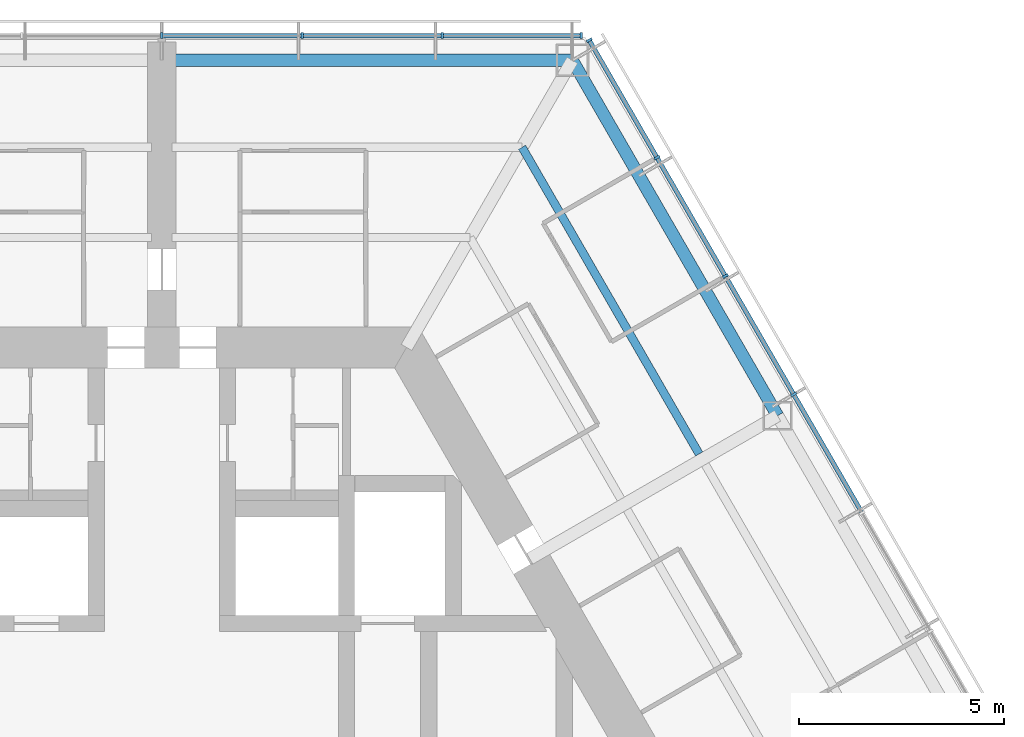
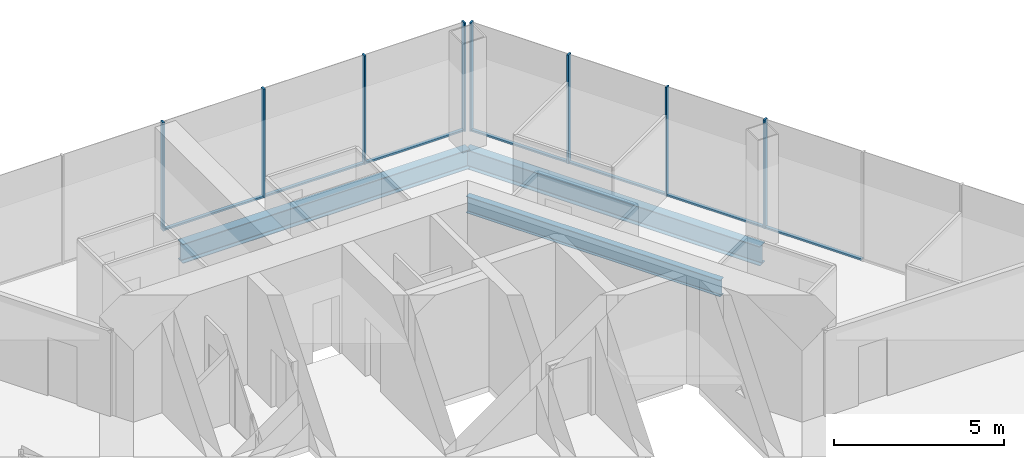
# One storey, part 8 of 19: 15 members, 3 beams, 2 elements without a shape of their own.
"""IFC4 building model written with IfcOpenShell, lengths in metres."""

from ifc_helpers import new_model, si_unit, direction, frame, origin, origin_2d, place, context, subcontext, project, spatial, rectangle, i_section, extrude, material, material_profile, profile_set, type_object, element, aggregate, save


model = new_model("IFC4")

# Units and contexts
model_context = context("Model", 3, precision=1e-05, world=origin(), true_north=direction((0.0, 1.0)))
body_context = subcontext(model_context, "Body", "Model", "MODEL_VIEW")
ifc_project = project(units=[si_unit("LENGTHUNIT", "METRE"), si_unit("AREAUNIT", "SQUARE_METRE"), si_unit("VOLUMEUNIT", "CUBIC_METRE"), si_unit("PLANEANGLEUNIT", "RADIAN"), si_unit("MASSUNIT", "GRAM", prefix="KILO")], contexts=[model_context])

# Site, building, storey
site_placement = place(None, origin())
site = spatial("IfcSite", under=ifc_project, at=site_placement, CompositionType="ELEMENT")
building_placement = place(site_placement, origin())
building = spatial("IfcBuilding", under=site, at=building_placement, Name="Kasaneha Research Tower", CompositionType="ELEMENT")
storey_placement = place(building_placement, frame((0.0, 0.0, 164.300048828125)))
storey = spatial("IfcBuildingStorey", under=building, at=storey_placement, Name="L41", CompositionType="ELEMENT", Elevation=164.300048828125)

# Beam
ifc_material_1 = material(Name="Steel SN490B", Category="steel")
ifc_material_profile_1 = material_profile(ifc_material_1, i_section(OverallWidth=0.199951171875, OverallDepth=0.60009765625, WebThickness=0.010986328125, FlangeThickness=0.01708984375, FilletRadius=0.012939453125, at=origin_2d()), Name="H-600x200x11x17")
ifc_profile_set_1 = profile_set([ifc_material_profile_1], Name="Steel SN490B")
beam_type_1 = type_object("IfcBeamType", Name="B1-3 secondary beam H-600x200x11x17", PredefinedType="JOIST", material=ifc_profile_set_1)
beam_1_placement = place(storey_placement, frame((8.775634765625, 15.199951171875, -0.449951171875), z_axis=(0.500017275495, -0.866015429543, 0.0), x_axis=(0.866015429543, 0.500017275495, 0.0)))
element("IfcBeam", 1, at=beam_1_placement, inside=storey, type_object=beam_type_1, Name="Secondary beam RS030R2 L41", PredefinedType="JOIST", context=body_context, shape_type="SweptSolid", body=[
    extrude(i_section(OverallWidth=0.199951171875, OverallDepth=0.60009765625, WebThickness=0.010986328125, FlangeThickness=0.01708984375, FilletRadius=0.012939453125, at=origin_2d()), origin(), (0.0, 0.0, 1.0), 8.625732421875),
])

# Curtain wall, members
ifc_material_2 = material(Name="Glass and aluminium", Category="aluminium")
curtain_wall_type = type_object("IfcCurtainWallType", Name="Mid-rise office curtain wall", PredefinedType="USERDEFINED", material=ifc_material_2)
curtain_wall_1_placement = place(storey_placement, origin())
curtain_wall_1 = element("IfcCurtainWall", 2, at=curtain_wall_1_placement, inside=storey, type_object=curtain_wall_type, Name="CW-O2 L41 run 06a", ObjectType="UNITISED CURTAIN WALL", PredefinedType="USERDEFINED")
ifc_material_3 = material(Name="Aluminium 6063-T6", Category="aluminium")
ifc_material_profile_2 = material_profile(ifc_material_3, rectangle(XDim=0.06005859375, YDim=0.14990234375, at=origin_2d()), Name="CW-O2 mullion 60x150")
ifc_profile_set_2 = profile_set([ifc_material_profile_2], Name="Aluminium 6063-T6")
member_type_1 = type_object("IfcMemberType", Name="CW-O2 mullion", PredefinedType="MULLION", material=ifc_profile_set_2)
member_1_placement = place(storey_placement, frame((15.392822265625, 9.179931640625, 0.0), z_axis=(0.0, 0.0, 1.0), x_axis=(-0.499999979232, 0.866025415775, 0.0)))
member_1 = element("IfcMember", 3, at=member_1_placement, type_object=member_type_1, Name="CW-O2 mullion 4", PredefinedType="MULLION", context=body_context, shape_type="SweptSolid", body=[
    extrude(rectangle(XDim=0.06005859375, YDim=0.14990234375, at=origin_2d()), origin(), (0.0, 0.0, 1.0), 3.89990234375),
])
member_2_placement = place(storey_placement, frame((13.727294921875, 12.064453125, 0.0), z_axis=(0.0, 0.0, 1.0), x_axis=(-0.499999979232, 0.866025415775, 0.0)))
member_2 = element("IfcMember", 4, at=member_2_placement, type_object=member_type_1, Name="CW-O2 mullion 5", PredefinedType="MULLION", context=body_context, shape_type="SweptSolid", body=[
    extrude(rectangle(XDim=0.06005859375, YDim=0.14990234375, at=origin_2d()), origin(), (0.0, 0.0, 1.0), 3.89990234375),
])
member_3_placement = place(storey_placement, frame((12.061767578125, 14.94921875, 0.0), z_axis=(0.0, 0.0, 1.0), x_axis=(-0.499999979232, 0.866025415775, 0.0)))
member_3 = element("IfcMember", 5, at=member_3_placement, type_object=member_type_1, Name="CW-O2 mullion 6", PredefinedType="MULLION", context=body_context, shape_type="SweptSolid", body=[
    extrude(rectangle(XDim=0.06005859375, YDim=0.14990234375, at=origin_2d()), origin(), (0.0, 0.0, 1.0), 3.89990234375),
])
member_4_placement = place(storey_placement, frame((10.411376953125, 17.807861328125, 0.0), z_axis=(0.0, 0.0, 1.0), x_axis=(-0.499999979232, 0.866025415775, 0.0)))
member_4 = element("IfcMember", 6, at=member_4_placement, type_object=member_type_1, Name="CW-O2 mullion 7", PredefinedType="MULLION", context=body_context, shape_type="SweptSolid", body=[
    extrude(rectangle(XDim=0.06005859375, YDim=0.14990234375, at=origin_2d()), origin(), (0.0, 0.0, 1.0), 3.89990234375),
])

curtain_wall_2_placement = place(storey_placement, origin())
curtain_wall_2 = element("IfcCurtainWall", 7, at=curtain_wall_2_placement, inside=storey, type_object=curtain_wall_type, Name="CW-O2 L41 run 07a", ObjectType="UNITISED CURTAIN WALL", PredefinedType="USERDEFINED")
member_5_placement = place(storey_placement, frame((10.21630859375, 17.92041015625, 0.0), z_axis=(0.0, 0.0, 1.0), x_axis=(-1.0, 0.0, 0.0)))
member_5 = element("IfcMember", 8, at=member_5_placement, type_object=member_type_1, Name="CW-O2 mullion 1", PredefinedType="MULLION", context=body_context, shape_type="SweptSolid", body=[
    extrude(rectangle(XDim=0.06005859375, YDim=0.14990234375, at=origin_2d()), origin(), (0.0, 0.0, 1.0), 3.89990234375),
])
member_6_placement = place(storey_placement, frame((6.8310546875, 17.92041015625, 0.0), z_axis=(0.0, 0.0, 1.0), x_axis=(-1.0, 0.0, 0.0)))
member_6 = element("IfcMember", 9, at=member_6_placement, type_object=member_type_1, Name="CW-O2 mullion 2", PredefinedType="MULLION", context=body_context, shape_type="SweptSolid", body=[
    extrude(rectangle(XDim=0.06005859375, YDim=0.14990234375, at=origin_2d()), origin(), (0.0, 0.0, 1.0), 3.89990234375),
])
member_7_placement = place(storey_placement, frame((3.41552734375, 17.92041015625, 0.0), z_axis=(0.0, 0.0, 1.0), x_axis=(-1.0, 0.0, 0.0)))
member_7 = element("IfcMember", 10, at=member_7_placement, type_object=member_type_1, Name="CW-O2 mullion 3", PredefinedType="MULLION", context=body_context, shape_type="SweptSolid", body=[
    extrude(rectangle(XDim=0.06005859375, YDim=0.14990234375, at=origin_2d()), origin(), (0.0, 0.0, 1.0), 3.89990234375),
])
member_8_placement = place(storey_placement, frame((0.0, 17.92041015625, 0.0), z_axis=(0.0, 0.0, 1.0), x_axis=(-1.0, 0.0, 0.0)))
member_8 = element("IfcMember", 11, at=member_8_placement, type_object=member_type_1, Name="CW-O2 mullion 4", PredefinedType="MULLION", context=body_context, shape_type="SweptSolid", body=[
    extrude(rectangle(XDim=0.06005859375, YDim=0.14990234375, at=origin_2d()), origin(), (0.0, 0.0, 1.0), 3.89990234375),
])

# Member
ifc_material_4 = material(Name="Aluminium 6063-T6", Category="aluminium")
ifc_material_profile_3 = material_profile(ifc_material_4, rectangle(XDim=0.110107421875, YDim=0.06005859375, at=origin_2d()), Name="CW-O2 transom 110x60")
ifc_profile_set_3 = profile_set([ifc_material_profile_3], Name="Aluminium 6063-T6")
member_type_2 = type_object("IfcMemberType", Name="CW-O2 transom", PredefinedType="USERDEFINED", material=ifc_profile_set_3)
member_9_placement = place(storey_placement, frame((17.043212890625, 6.3212890625, 0.030029296875), z_axis=(-0.50003259116, 0.866006586452, 0.0), x_axis=(-0.866006586452, -0.50003259116, 0.0)))
member_9 = element("IfcMember", 12, at=member_9_placement, type_object=member_type_2, Name="CW-O2 transom 3", ObjectType="TRANSOM", PredefinedType="USERDEFINED", context=body_context, shape_type="SweptSolid", body=[
    extrude(rectangle(XDim=0.110107421875, YDim=0.06005859375, at=origin_2d()), origin(), (0.0, 0.0, 1.0), 3.270751953125),
])

member_10_placement = place(storey_placement, frame((15.3779296875, 9.205810546875, 0.030029296875), z_axis=(-0.500000270186, 0.866025247793, 0.0), x_axis=(-0.866025247793, -0.500000270186, 0.0)))
member_10 = element("IfcMember", 13, at=member_10_placement, type_object=member_type_2, Name="CW-O2 transom 4", ObjectType="TRANSOM", PredefinedType="USERDEFINED", context=body_context, shape_type="SweptSolid", body=[
    extrude(rectangle(XDim=0.110107421875, YDim=0.06005859375, at=origin_2d()), origin(), (0.0, 0.0, 1.0), 3.27099609375),
])

member_11_placement = place(storey_placement, frame((13.71240234375, 12.090576171875, 0.030029296875), z_axis=(-0.500000270186, 0.866025247793, 0.0), x_axis=(-0.866025247793, -0.500000270186, 0.0)))
member_11 = element("IfcMember", 14, at=member_11_placement, type_object=member_type_2, Name="CW-O2 transom 5", ObjectType="TRANSOM", PredefinedType="USERDEFINED", context=body_context, shape_type="SweptSolid", body=[
    extrude(rectangle(XDim=0.110107421875, YDim=0.06005859375, at=origin_2d()), origin(), (0.0, 0.0, 1.0), 3.27099609375),
])

member_12_placement = place(storey_placement, frame((12.046875, 14.97509765625, 0.030029296875), z_axis=(-0.499955025697, 0.866051368154, 0.0), x_axis=(-0.866051368154, -0.499955025697, 0.0)))
member_12 = element("IfcMember", 15, at=member_12_placement, type_object=member_type_2, Name="CW-O2 transom 6", ObjectType="TRANSOM", PredefinedType="USERDEFINED", context=body_context, shape_type="SweptSolid", body=[
    extrude(rectangle(XDim=0.110107421875, YDim=0.06005859375, at=origin_2d()), origin(), (0.0, 0.0, 1.0), 3.240966796875),
])

aggregate(curtain_wall_1, [member_1, member_2, member_3, member_4, member_9, member_10, member_11, member_12])

member_13_placement = place(storey_placement, frame((10.1865234375, 17.92041015625, 0.030029296875), z_axis=(-1.0, 0.0, 0.0), x_axis=(0.0, -1.0, 0.0)))
member_13 = element("IfcMember", 16, at=member_13_placement, type_object=member_type_2, Name="CW-O2 transom 1", ObjectType="TRANSOM", PredefinedType="USERDEFINED", context=body_context, shape_type="SweptSolid", body=[
    extrude(rectangle(XDim=0.110107421875, YDim=0.06005859375, at=origin_2d()), origin(), (0.0, 0.0, 1.0), 3.32568359375),
])

member_14_placement = place(storey_placement, frame((6.801025390625, 17.92041015625, 0.030029296875), z_axis=(-1.0, 0.0, 0.0), x_axis=(0.0, -1.0, 0.0)))
member_14 = element("IfcMember", 17, at=member_14_placement, type_object=member_type_2, Name="CW-O2 transom 2", ObjectType="TRANSOM", PredefinedType="USERDEFINED", context=body_context, shape_type="SweptSolid", body=[
    extrude(rectangle(XDim=0.110107421875, YDim=0.06005859375, at=origin_2d()), origin(), (0.0, 0.0, 1.0), 3.35546875),
])

member_15_placement = place(storey_placement, frame((3.385498046875, 17.92041015625, 0.030029296875), z_axis=(-1.0, 0.0, 0.0), x_axis=(0.0, -1.0, 0.0)))
member_15 = element("IfcMember", 18, at=member_15_placement, type_object=member_type_2, Name="CW-O2 transom 3", ObjectType="TRANSOM", PredefinedType="USERDEFINED", context=body_context, shape_type="SweptSolid", body=[
    extrude(rectangle(XDim=0.110107421875, YDim=0.06005859375, at=origin_2d()), origin(), (0.0, 0.0, 1.0), 3.35546875),
])

aggregate(curtain_wall_2, [member_5, member_6, member_7, member_8, member_13, member_14, member_15])

# Beams
ifc_material_5 = material(Name="Steel SN490B", Category="steel")
ifc_material_profile_4 = material_profile(ifc_material_5, i_section(OverallWidth=0.300048828125, OverallDepth=0.69189453125, WebThickness=0.012939453125, FlangeThickness=0.02001953125, FilletRadius=0.01806640625, at=origin_2d()), Name="H-692x300x13x20")
ifc_profile_set_4 = profile_set([ifc_material_profile_4], Name="Steel SN490B")
beam_type_2 = type_object("IfcBeamType", Name="G3-3 plate edge girder H-692x300x13x20", PredefinedType="BEAM", material=ifc_profile_set_4)
beam_2_placement = place(storey_placement, frame((10.0, 17.320556640625, -0.49609375), z_axis=(-1.0, 0.0, 0.0), x_axis=(0.0, -1.0, 0.0)))
element("IfcBeam", 19, at=beam_2_placement, inside=storey, type_object=beam_type_2, Name="Plate edge girder PEAP L41", PredefinedType="BEAM", context=body_context, shape_type="SweptSolid", body=[
    extrude(i_section(OverallWidth=0.300048828125, OverallDepth=0.69189453125, WebThickness=0.012939453125, FlangeThickness=0.02001953125, FilletRadius=0.01806640625, at=origin_2d()), origin(), (0.0, 0.0, 1.0), 9.75),
])
ifc_material_6 = material(Name="Steel SN490B", Category="steel")
ifc_material_profile_5 = material_profile(ifc_material_6, i_section(OverallWidth=0.300048828125, OverallDepth=0.69189453125, WebThickness=0.012939453125, FlangeThickness=0.02001953125, FilletRadius=0.01806640625, at=origin_2d()), Name="H-692x300x13x20")
ifc_profile_set_5 = profile_set([ifc_material_profile_5], Name="Steel SN490B")
beam_type_3 = type_object("IfcBeamType", Name="SB1-3 spandrel beam H-692x300x13x20", PredefinedType="SPANDREL", material=ifc_profile_set_5)
beam_3_placement = place(storey_placement, frame((10.0, 17.320556640625, -0.49609375), z_axis=(0.499993662806, -0.866029062534, 0.0), x_axis=(0.866029062534, 0.499993662806, 0.0)))
element("IfcBeam", 20, at=beam_3_placement, inside=storey, type_object=beam_type_3, Name="Spandrel beam SR030R L41", PredefinedType="SPANDREL", context=body_context, shape_type="SweptSolid", body=[
    extrude(i_section(OverallWidth=0.300048828125, OverallDepth=0.69189453125, WebThickness=0.012939453125, FlangeThickness=0.02001953125, FilletRadius=0.01806640625, at=origin_2d()), origin(), (0.0, 0.0, 1.0), 10.000244140625),
])

save(model, "model.ifc")
